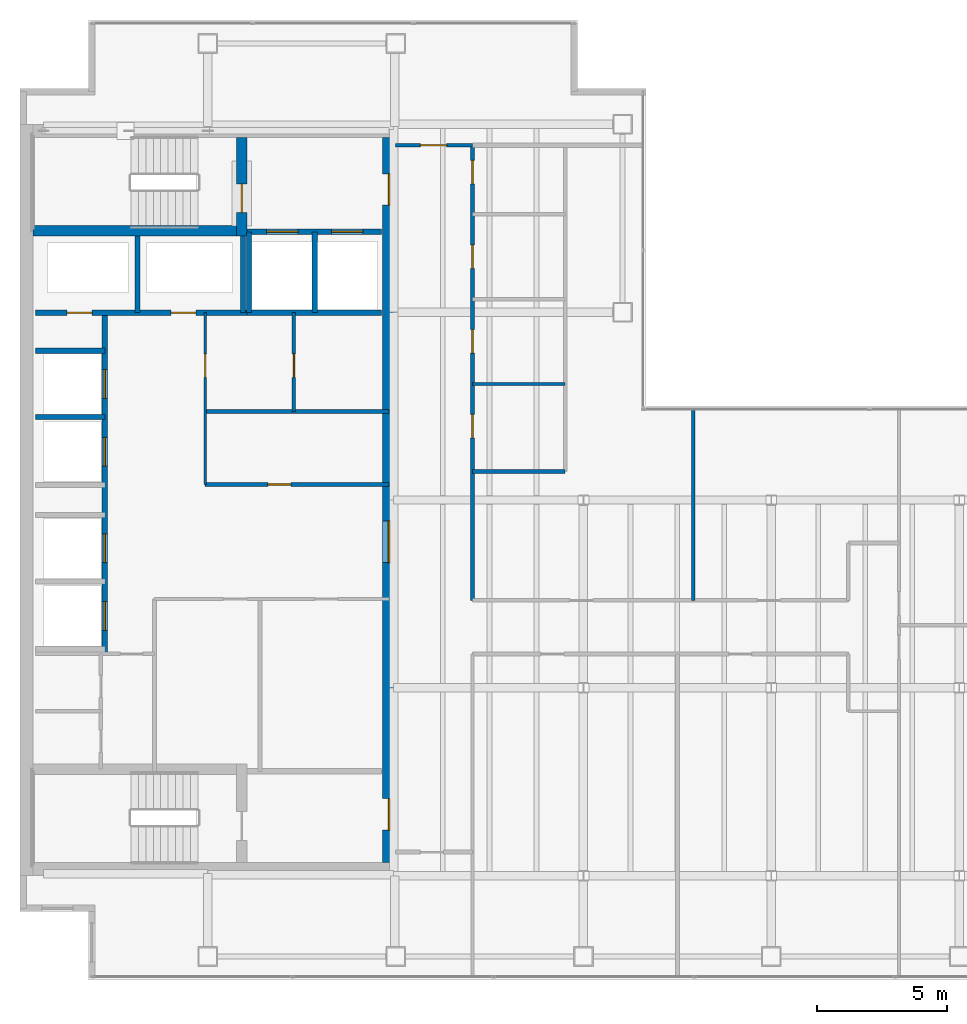
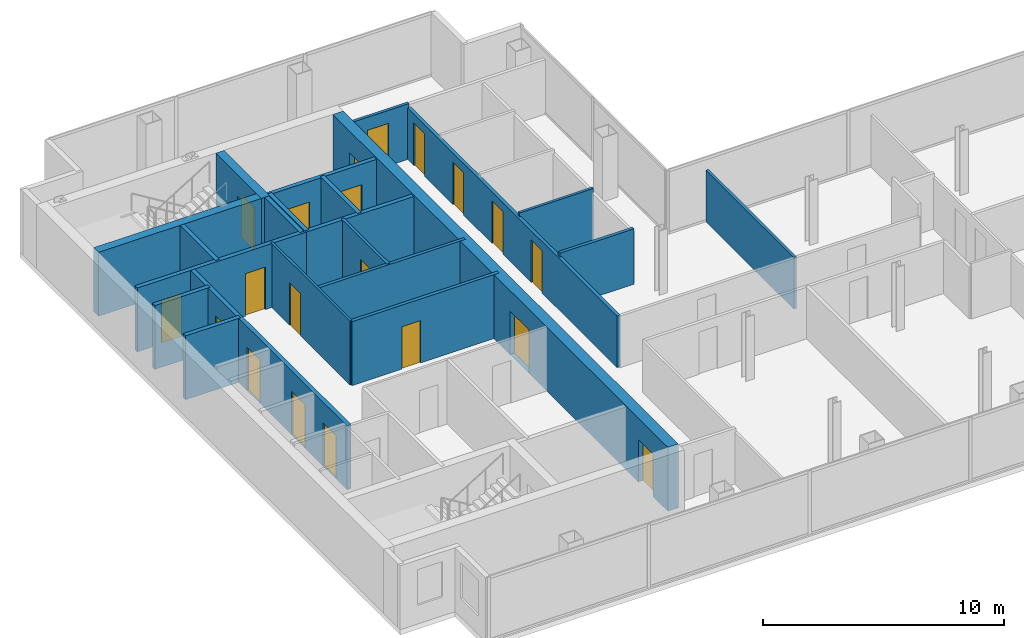
# One storey, part 21 of 23: 22 walls, 20 doors, 20 openings.
"""IFC4 building model written with IfcOpenShell, lengths in metres."""

from ifc_helpers import new_model, si_unit, direction, frame, frame_2d, origin, place, context, subcontext, project, spatial, rectangle, extrude, material, layer, layer_set, type_object, element, fill, save


model = new_model("IFC4")

# Units and contexts
model_context = context("Model", 3, precision=1e-05, world=origin(), true_north=direction((0.0, 1.0)))
body_context = subcontext(model_context, "Body", "Model", "MODEL_VIEW")
ifc_project = project(units=[si_unit("LENGTHUNIT", "METRE"), si_unit("AREAUNIT", "SQUARE_METRE"), si_unit("VOLUMEUNIT", "CUBIC_METRE"), si_unit("PLANEANGLEUNIT", "RADIAN"), si_unit("MASSUNIT", "GRAM", prefix="KILO")], contexts=[model_context])

# Site, building, storey
site_placement = place(None, origin())
site = spatial("IfcSite", under=ifc_project, at=site_placement, CompositionType="ELEMENT")
building_placement = place(site_placement, origin())
building = spatial("IfcBuilding", under=site, at=building_placement, Name="Cobrela Telecom Tower", CompositionType="ELEMENT")
storey_placement = place(building_placement, frame((0.0, 0.0, 211.75)))
storey = spatial("IfcBuildingStorey", under=building, at=storey_placement, Name="L54", CompositionType="ELEMENT", Elevation=211.75)

# Wall, openings, doors
ifc_material_1 = material(Name="Concrete C40/50", Category="concrete")
ifc_layer_1 = layer(ifc_material_1, 0.5)
ifc_layer_set_1 = layer_set([ifc_layer_1], Name="Concrete C40/50")
wall_type_1 = type_object("IfcWallType", Name="WALL-CORE-C40-500", PredefinedType="SHEAR", material=ifc_layer_set_1)
wall_1_placement = place(storey_placement, frame((14.14990234375, 35.5, 0.0), z_axis=(0.0, 0.0, 1.0), x_axis=(0.0, -1.0, 0.0)))
wall_1 = element("IfcWall", 1, at=wall_1_placement, inside=storey, type_object=wall_type_1, Name="L54 East Core Shear Wall", PredefinedType="SHEAR", context=body_context, shape_type="SweptSolid", body=[
    extrude(rectangle(XDim=27.800048828125, YDim=0.5, at=frame_2d((13.89990234375, 0.0))), origin(), (0.0, 0.0, 1.0), 3.239990234375),
])
opening_1_placement = place(wall_1_placement, frame((1.39990234375, 0.0, 0.0)))
opening_1 = element("IfcOpeningElement", 2, at=opening_1_placement, cuts=wall_1, Name="Opening DR-19", PredefinedType="OPENING", context=body_context, shape_type="SweptSolid", body=[
    extrude(rectangle(XDim=1.199951171875, YDim=2.14990234375, at=frame_2d((0.60009765625, 1.074951171875))), frame((0.0, 0.261962890625, 0.0), z_axis=(0.0, -1.0, 0.0), x_axis=(1.0, 0.0, 0.0)), (0.0, 0.0, 1.0), 0.52392578125),
])
opening_2_placement = place(wall_1_placement, frame((25.35009765625, 0.0, 0.0)))
opening_2 = element("IfcOpeningElement", 3, at=opening_2_placement, cuts=wall_1, Name="Opening DR-19", PredefinedType="OPENING", context=body_context, shape_type="SweptSolid", body=[
    extrude(rectangle(XDim=1.199951171875, YDim=2.14990234375, at=frame_2d((0.60009765625, 1.074951171875))), frame((0.0, 0.261962890625, 0.0), z_axis=(0.0, -1.0, 0.0), x_axis=(1.0, 0.0, 0.0)), (0.0, 0.0, 1.0), 0.52392578125),
])
opening_3_placement = place(wall_1_placement, frame((14.699951171875, 0.0, 0.0)))
opening_3 = element("IfcOpeningElement", 4, at=opening_3_placement, cuts=wall_1, Name="Opening DR-51", PredefinedType="OPENING", context=body_context, shape_type="SweptSolid", body=[
    extrude(rectangle(XDim=1.60009765625, YDim=2.199951171875, at=frame_2d((0.800048828125, 1.10009765625))), frame((0.0, 0.261962890625, 0.0), z_axis=(0.0, -1.0, 0.0), x_axis=(1.0, 0.0, 0.0)), (0.0, 0.0, 1.0), 0.52392578125),
])
ifc_material_2 = material(Name="Steel ASTM A36", Category="steel")
door_type_1 = type_object("IfcDoorType", Name="DOOR-FD60-1200", OperationType="SINGLE_SWING_LEFT", PredefinedType="DOOR", material=ifc_material_2)
door_1_placement = place(opening_1_placement, origin())
door_1 = element("IfcDoor", 5, at=door_1_placement, inside=storey, type_object=door_type_1, Name="L54 Door DR-19", OperationType="SINGLE_SWING_LEFT", OverallHeight=2.14990234375, OverallWidth=1.199951171875, PredefinedType="DOOR", context=body_context, shape_type="SweptSolid", body=[
    extrude(rectangle(XDim=1.199951171875, YDim=2.14990234375, at=frame_2d((0.60009765625, 1.074951171875))), frame((0.0, 0.02490234375, 0.0), z_axis=(0.0, -1.0, 0.0), x_axis=(1.0, 0.0, 0.0)), (0.0, 0.0, 1.0), 0.050048828125),
])
fill(opening_1, door_1)
door_2_placement = place(opening_2_placement, origin())
door_2 = element("IfcDoor", 6, at=door_2_placement, inside=storey, type_object=door_type_1, Name="L54 Door DR-19", OperationType="SINGLE_SWING_RIGHT", OverallHeight=2.14990234375, OverallWidth=1.199951171875, PredefinedType="DOOR", context=body_context, shape_type="SweptSolid", body=[
    extrude(rectangle(XDim=1.199951171875, YDim=2.14990234375, at=frame_2d((0.60009765625, 1.074951171875))), frame((0.0, 0.02490234375, 0.0), z_axis=(0.0, -1.0, 0.0), x_axis=(1.0, 0.0, 0.0)), (0.0, 0.0, 1.0), 0.050048828125),
])
fill(opening_2, door_2)
door_type_2 = type_object("IfcDoorType", Name="DOOR-FD60-1600", OperationType="SINGLE_SWING_LEFT", PredefinedType="DOOR", material=ifc_material_2)
door_3_placement = place(opening_3_placement, origin())
door_3 = element("IfcDoor", 7, at=door_3_placement, inside=storey, type_object=door_type_2, Name="L54 Door DR-51", OperationType="DOUBLE_DOOR_SINGLE_SWING", OverallHeight=2.199951171875, OverallWidth=1.60009765625, PredefinedType="DOOR", context=body_context, shape_type="SweptSolid", body=[
    extrude(rectangle(XDim=1.60009765625, YDim=2.199951171875, at=frame_2d((0.800048828125, 1.10009765625))), frame((0.0, 0.02490234375, 0.0), z_axis=(0.0, -1.0, 0.0), x_axis=(1.0, 0.0, 0.0)), (0.0, 0.0, 1.0), 0.050048828125),
])
fill(opening_3, door_3)

# Wall, opening, door
ifc_material_3 = material(Name="Fire-Rated Gypsum Plasterboard")
ifc_layer_2 = layer(ifc_material_3, 0.110107421875)
ifc_layer_set_2 = layer_set([ifc_layer_2], Name="Fire-Rated Gypsum Plasterboard")
wall_type_2 = type_object("IfcWallType", Name="WALL-PART-110", PredefinedType="PARTITIONING", material=ifc_layer_set_2)
wall_2_placement = place(storey_placement, frame((7.10009765625, 22.199951171875, 0.0), z_axis=(0.0, 0.0, 1.0), x_axis=(0.0, 1.0, 0.0)))
wall_2 = element("IfcWall", 8, at=wall_2_placement, inside=storey, type_object=wall_type_2, Name="L54 Interior Partition CW-RECL-W", PredefinedType="PARTITIONING", context=body_context, shape_type="SweptSolid", body=[
    extrude(rectangle(XDim=6.580078125, YDim=0.110107421875, at=frame_2d((3.2900390625, 0.0))), origin(), (0.0, 0.0, 1.0), 3.239990234375),
])
opening_4_placement = place(wall_2_placement, frame((4.10009765625, 0.0, 0.0)))
opening_4 = element("IfcOpeningElement", 9, at=opening_4_placement, cuts=wall_2, Name="Opening DR-41", PredefinedType="OPENING", context=body_context, shape_type="SweptSolid", body=[
    extrude(rectangle(XDim=0.89990234375, YDim=2.14990234375, at=frame_2d((0.449951171875, 1.074951171875))), frame((0.0, 0.06689453125, 0.0), z_axis=(0.0, -1.0, 0.0), x_axis=(1.0, 0.0, 0.0)), (0.0, 0.0, 1.0), 0.134033203125),
])
ifc_material_4 = material(Name="Solid Engineered Oak Timber", Category="wood")
door_type_3 = type_object("IfcDoorType", Name="DOOR-INT-900", OperationType="SINGLE_SWING_LEFT", PredefinedType="DOOR", material=ifc_material_4)
door_4_placement = place(opening_4_placement, origin())
door_4 = element("IfcDoor", 10, at=door_4_placement, inside=storey, type_object=door_type_3, Name="L54 Door DR-41", OperationType="SINGLE_SWING_RIGHT", OverallHeight=2.14990234375, OverallWidth=0.89990234375, PredefinedType="DOOR", context=body_context, shape_type="SweptSolid", body=[
    extrude(rectangle(XDim=0.89990234375, YDim=2.14990234375, at=frame_2d((0.449951171875, 1.074951171875))), frame((0.0, 0.02490234375, 0.0), z_axis=(0.0, -1.0, 0.0), x_axis=(1.0, 0.0, 0.0)), (0.0, 0.0, 1.0), 0.050048828125),
])
fill(opening_4, door_4)

# Wall
ifc_layer_3 = layer(ifc_material_3, 0.125)
ifc_layer_set_3 = layer_set([ifc_layer_3], Name="Fire-Rated Gypsum Plasterboard")
wall_type_3 = type_object("IfcWallType", Name="WALL-PART-125", PredefinedType="PARTITIONING", material=ifc_layer_set_3)
wall_3_placement = place(storey_placement, frame((17.35009765625, 26.050048828125, 0.0), z_axis=(0.0, 0.0, 1.0), x_axis=(1.0, 0.0, 0.0)))
element("IfcWall", 11, at=wall_3_placement, inside=storey, type_object=wall_type_3, Name="L54 Interior Partition W-WCD-1", PredefinedType="PARTITIONING", context=body_context, shape_type="SweptSolid", body=[
    extrude(rectangle(XDim=3.5498046875, YDim=0.125, at=frame_2d((1.77490234375, 0.0))), origin(), (0.0, 0.0, 1.0), 2.80810546875),
])

# Wall, opening, door
ifc_layer_4 = layer(ifc_material_3, 0.135009765625)
ifc_layer_set_4 = layer_set([ifc_layer_4], Name="Fire-Rated Gypsum Plasterboard")
wall_type_4 = type_object("IfcWallType", Name="WALL-PART-135", PredefinedType="PARTITIONING", material=ifc_layer_set_4)
wall_4_placement = place(storey_placement, frame((10.5, 25.0, 0.0), z_axis=(0.0, 0.0, 1.0), x_axis=(0.0, 1.0, 0.0)))
wall_4 = element("IfcWall", 12, at=wall_4_placement, inside=storey, type_object=wall_type_4, Name="L54 Interior Partition CW-RECL-VN", PredefinedType="PARTITIONING", context=body_context, shape_type="SweptSolid", body=[
    extrude(rectangle(XDim=3.780029296875, YDim=0.135009765625, at=frame_2d((1.89013671875, 0.0))), origin(), (0.0, 0.0, 1.0), 3.239990234375),
])
opening_5_placement = place(wall_4_placement, frame((1.300048828125, 0.0, 0.0)))
opening_5 = element("IfcOpeningElement", 13, at=opening_5_placement, cuts=wall_4, Name="Opening DR-41", PredefinedType="OPENING", context=body_context, shape_type="SweptSolid", body=[
    extrude(rectangle(XDim=0.89990234375, YDim=2.14990234375, at=frame_2d((0.449951171875, 1.074951171875))), frame((0.0, 0.07958984375, 0.0), z_axis=(0.0, -1.0, 0.0), x_axis=(1.0, 0.0, 0.0)), (0.0, 0.0, 1.0), 0.158935546875),
])
door_5_placement = place(opening_5_placement, origin())
door_5 = element("IfcDoor", 14, at=door_5_placement, inside=storey, type_object=door_type_3, Name="L54 Door DR-41", OperationType="SINGLE_SWING_LEFT", OverallHeight=2.14990234375, OverallWidth=0.89990234375, PredefinedType="DOOR", context=body_context, shape_type="SweptSolid", body=[
    extrude(rectangle(XDim=0.89990234375, YDim=2.14990234375, at=frame_2d((0.449951171875, 1.074951171875))), frame((0.0, 0.02490234375, 0.0), z_axis=(0.0, -1.0, 0.0), x_axis=(1.0, 0.0, 0.0)), (0.0, 0.0, 1.0), 0.050048828125),
])
fill(opening_5, door_5)

wall_5_placement = place(storey_placement, frame((14.39990234375, 35.199951171875, 0.0), z_axis=(0.0, 0.0, 1.0), x_axis=(1.0, 0.0, 0.0)))
wall_5 = element("IfcWall", 15, at=wall_5_placement, inside=storey, type_object=wall_type_4, Name="L54 Interior Partition W-C-N0", PredefinedType="PARTITIONING", context=body_context, shape_type="SweptSolid", body=[
    extrude(rectangle(XDim=2.9501953125, YDim=0.135009765625, at=frame_2d((1.47509765625, 0.0))), origin(), (0.0, 0.0, 1.0), 2.80810546875),
])
opening_6_placement = place(wall_5_placement, frame((0.949951171875, 0.0, 0.0)))
opening_6 = element("IfcOpeningElement", 16, at=opening_6_placement, cuts=wall_5, Name="Opening DR-31", PredefinedType="OPENING", context=body_context, shape_type="SweptSolid", body=[
    extrude(rectangle(XDim=1.0, YDim=2.14990234375, at=frame_2d((0.5, 1.074951171875))), frame((0.0, 0.07958984375, 0.0), z_axis=(0.0, -1.0, 0.0), x_axis=(1.0, 0.0, 0.0)), (0.0, 0.0, 1.0), 0.158935546875),
])
door_type_4 = type_object("IfcDoorType", Name="DOOR-INT-1000", OperationType="SINGLE_SWING_LEFT", PredefinedType="DOOR", material=ifc_material_4)
door_6_placement = place(opening_6_placement, origin())
door_6 = element("IfcDoor", 17, at=door_6_placement, inside=storey, type_object=door_type_4, Name="L54 Door DR-31", OperationType="SINGLE_SWING_LEFT", OverallHeight=2.14990234375, OverallWidth=1.0, PredefinedType="DOOR", context=body_context, shape_type="SweptSolid", body=[
    extrude(rectangle(XDim=1.0, YDim=2.14990234375, at=frame_2d((0.5, 1.074951171875))), frame((0.0, 0.02490234375, 0.0), z_axis=(0.0, -1.0, 0.0), x_axis=(1.0, 0.0, 0.0)), (0.0, 0.0, 1.0), 0.050048828125),
])
fill(opening_6, door_6)

# Walls
wall_6_placement = place(storey_placement, frame((25.800048828125, 17.75, 0.0), z_axis=(0.0, 0.0, 1.0), x_axis=(0.0, 1.0, 0.0)))
element("IfcWall", 18, at=wall_6_placement, inside=storey, type_object=wall_type_4, Name="L54 Interior Partition W-NV-1", PredefinedType="PARTITIONING", context=body_context, shape_type="SweptSolid", body=[
    extrude(rectangle(XDim=7.300048828125, YDim=0.135009765625, at=frame_2d((3.64990234375, 0.0))), origin(), (0.0, 0.0, 1.0), 2.613037109375),
])
ifc_layer_5 = layer(ifc_material_3, 0.14990234375)
ifc_layer_set_5 = layer_set([ifc_layer_5], Name="Fire-Rated Gypsum Plasterboard")
wall_type_5 = type_object("IfcWallType", Name="WALL-PART-150", PredefinedType="PARTITIONING", material=ifc_layer_set_5)
wall_7_placement = place(storey_placement, frame((7.10009765625, 25.0, 0.0), z_axis=(0.0, 0.0, 1.0), x_axis=(1.0, 0.0, 0.0)))
element("IfcWall", 19, at=wall_7_placement, inside=storey, type_object=wall_type_5, Name="L54 Interior Partition CW-RECL-H", PredefinedType="PARTITIONING", context=body_context, shape_type="SweptSolid", body=[
    extrude(rectangle(XDim=7.0498046875, YDim=0.14990234375, at=frame_2d((3.52490234375, 0.0))), origin(), (0.0, 0.0, 1.0), 3.239990234375),
])
wall_8_placement = place(storey_placement, frame((17.35009765625, 22.699951171875, 0.0), z_axis=(0.0, 0.0, 1.0), x_axis=(1.0, 0.0, 0.0)))
element("IfcWall", 20, at=wall_8_placement, inside=storey, type_object=wall_type_5, Name="L54 Interior Partition W-WC-S", PredefinedType="PARTITIONING", context=body_context, shape_type="SweptSolid", body=[
    extrude(rectangle(XDim=3.5498046875, YDim=0.14990234375, at=frame_2d((1.77490234375, 0.0))), origin(), (0.0, 0.0, 1.0), 2.80810546875),
])

# Wall, opening, door
ifc_layer_6 = layer(ifc_material_3, 0.159912109375)
ifc_layer_set_6 = layer_set([ifc_layer_6], Name="Fire-Rated Gypsum Plasterboard")
wall_type_6 = type_object("IfcWallType", Name="WALL-PART-160", PredefinedType="PARTITIONING", material=ifc_layer_set_6)
wall_9_placement = place(storey_placement, frame((7.10009765625, 22.199951171875, 0.0), z_axis=(0.0, 0.0, 1.0), x_axis=(1.0, 0.0, 0.0)))
wall_9 = element("IfcWall", 21, at=wall_9_placement, inside=storey, type_object=wall_type_6, Name="L54 Interior Partition CW-RECL-S", PredefinedType="PARTITIONING", context=body_context, shape_type="SweptSolid", body=[
    extrude(rectangle(XDim=7.0498046875, YDim=0.159912109375, at=frame_2d((3.52490234375, 0.0))), origin(), (0.0, 0.0, 1.0), 3.239990234375),
])
opening_7_placement = place(wall_9_placement, frame((2.39990234375, 0.0, 0.0)))
opening_7 = element("IfcOpeningElement", 22, at=opening_7_placement, cuts=wall_9, Name="Opening DR-39", PredefinedType="OPENING", context=body_context, shape_type="SweptSolid", body=[
    extrude(rectangle(XDim=0.8798828125, YDim=2.14990234375, at=frame_2d((0.43994140625, 1.074951171875))), frame((0.0, 0.091796875, 0.0), z_axis=(0.0, -1.0, 0.0), x_axis=(1.0, 0.0, 0.0)), (0.0, 0.0, 1.0), 0.183837890625),
])
door_type_5 = type_object("IfcDoorType", Name="DOOR-INT-880", OperationType="SINGLE_SWING_LEFT", PredefinedType="DOOR", material=ifc_material_4)
door_7_placement = place(opening_7_placement, origin())
door_7 = element("IfcDoor", 23, at=door_7_placement, inside=storey, type_object=door_type_5, Name="L54 Door DR-39", OperationType="SINGLE_SWING_LEFT", OverallHeight=2.14990234375, OverallWidth=0.8798828125, PredefinedType="DOOR", context=body_context, shape_type="SweptSolid", body=[
    extrude(rectangle(XDim=0.8798828125, YDim=2.14990234375, at=frame_2d((0.43994140625, 1.074951171875))), frame((0.0, 0.02490234375, 0.0), z_axis=(0.0, -1.0, 0.0), x_axis=(1.0, 0.0, 0.0)), (0.0, 0.0, 1.0), 0.050048828125),
])
fill(opening_7, door_7)

# Wall, openings, doors
wall_10_placement = place(storey_placement, frame((17.35009765625, 17.75, 0.0), z_axis=(0.0, 0.0, 1.0), x_axis=(0.0, 1.0, 0.0)))
wall_10 = element("IfcWall", 24, at=wall_10_placement, inside=storey, type_object=wall_type_6, Name="L54 Interior Partition W-C-E2", PredefinedType="PARTITIONING", context=body_context, shape_type="SweptSolid", body=[
    extrude(rectangle(XDim=17.449951171875, YDim=0.159912109375, at=frame_2d((8.72509765625, 0.0))), origin(), (0.0, 0.0, 1.0), 2.613037109375),
])
opening_8_placement = place(wall_10_placement, frame((6.22998046875, 0.0, 0.0)))
opening_8 = element("IfcOpeningElement", 25, at=opening_8_placement, cuts=wall_10, Name="Opening DR-41", PredefinedType="OPENING", context=body_context, shape_type="SweptSolid", body=[
    extrude(rectangle(XDim=0.89990234375, YDim=2.14990234375, at=frame_2d((0.449951171875, 1.074951171875))), frame((0.0, 0.091796875, 0.0), z_axis=(0.0, -1.0, 0.0), x_axis=(1.0, 0.0, 0.0)), (0.0, 0.0, 1.0), 0.183837890625),
])
opening_9_placement = place(wall_10_placement, frame((9.47998046875, 0.0, 0.0)))
opening_9 = element("IfcOpeningElement", 26, at=opening_9_placement, cuts=wall_10, Name="Opening DR-41", PredefinedType="OPENING", context=body_context, shape_type="SweptSolid", body=[
    extrude(rectangle(XDim=0.89990234375, YDim=2.14990234375, at=frame_2d((0.449951171875, 1.074951171875))), frame((0.0, 0.091796875, 0.0), z_axis=(0.0, -1.0, 0.0), x_axis=(1.0, 0.0, 0.0)), (0.0, 0.0, 1.0), 0.183837890625),
])
opening_10_placement = place(wall_10_placement, frame((12.72998046875, 0.0, 0.0)))
opening_10 = element("IfcOpeningElement", 27, at=opening_10_placement, cuts=wall_10, Name="Opening DR-41", PredefinedType="OPENING", context=body_context, shape_type="SweptSolid", body=[
    extrude(rectangle(XDim=0.89990234375, YDim=2.14990234375, at=frame_2d((0.449951171875, 1.074951171875))), frame((0.0, 0.091796875, 0.0), z_axis=(0.0, -1.0, 0.0), x_axis=(1.0, 0.0, 0.0)), (0.0, 0.0, 1.0), 0.183837890625),
])
opening_11_placement = place(wall_10_placement, frame((15.969970703125, 0.0, 0.0)))
opening_11 = element("IfcOpeningElement", 28, at=opening_11_placement, cuts=wall_10, Name="Opening DR-41", PredefinedType="OPENING", context=body_context, shape_type="SweptSolid", body=[
    extrude(rectangle(XDim=0.89990234375, YDim=2.14990234375, at=frame_2d((0.449951171875, 1.074951171875))), frame((0.0, 0.091796875, 0.0), z_axis=(0.0, -1.0, 0.0), x_axis=(1.0, 0.0, 0.0)), (0.0, 0.0, 1.0), 0.183837890625),
])
door_8_placement = place(opening_8_placement, origin())
door_8 = element("IfcDoor", 29, at=door_8_placement, inside=storey, type_object=door_type_3, Name="L54 Door DR-41", OperationType="SINGLE_SWING_LEFT", OverallHeight=2.14990234375, OverallWidth=0.89990234375, PredefinedType="DOOR", context=body_context, shape_type="SweptSolid", body=[
    extrude(rectangle(XDim=0.89990234375, YDim=2.14990234375, at=frame_2d((0.449951171875, 1.074951171875))), frame((0.0, 0.02490234375, 0.0), z_axis=(0.0, -1.0, 0.0), x_axis=(1.0, 0.0, 0.0)), (0.0, 0.0, 1.0), 0.050048828125),
])
fill(opening_8, door_8)
door_9_placement = place(opening_9_placement, origin())
door_9 = element("IfcDoor", 30, at=door_9_placement, inside=storey, type_object=door_type_3, Name="L54 Door DR-41", OperationType="SINGLE_SWING_RIGHT", OverallHeight=2.14990234375, OverallWidth=0.89990234375, PredefinedType="DOOR", context=body_context, shape_type="SweptSolid", body=[
    extrude(rectangle(XDim=0.89990234375, YDim=2.14990234375, at=frame_2d((0.449951171875, 1.074951171875))), frame((0.0, 0.02490234375, 0.0), z_axis=(0.0, -1.0, 0.0), x_axis=(1.0, 0.0, 0.0)), (0.0, 0.0, 1.0), 0.050048828125),
])
fill(opening_9, door_9)
door_10_placement = place(opening_10_placement, origin())
door_10 = element("IfcDoor", 31, at=door_10_placement, inside=storey, type_object=door_type_3, Name="L54 Door DR-41", OperationType="SINGLE_SWING_LEFT", OverallHeight=2.14990234375, OverallWidth=0.89990234375, PredefinedType="DOOR", context=body_context, shape_type="SweptSolid", body=[
    extrude(rectangle(XDim=0.89990234375, YDim=2.14990234375, at=frame_2d((0.449951171875, 1.074951171875))), frame((0.0, 0.02490234375, 0.0), z_axis=(0.0, -1.0, 0.0), x_axis=(1.0, 0.0, 0.0)), (0.0, 0.0, 1.0), 0.050048828125),
])
fill(opening_10, door_10)
door_11_placement = place(opening_11_placement, origin())
door_11 = element("IfcDoor", 32, at=door_11_placement, inside=storey, type_object=door_type_3, Name="L54 Door DR-41", OperationType="SINGLE_SWING_RIGHT", OverallHeight=2.14990234375, OverallWidth=0.89990234375, PredefinedType="DOOR", context=body_context, shape_type="SweptSolid", body=[
    extrude(rectangle(XDim=0.89990234375, YDim=2.14990234375, at=frame_2d((0.449951171875, 1.074951171875))), frame((0.0, 0.02490234375, 0.0), z_axis=(0.0, -1.0, 0.0), x_axis=(1.0, 0.0, 0.0)), (0.0, 0.0, 1.0), 0.050048828125),
])
fill(opening_11, door_11)

ifc_layer_7 = layer(ifc_material_3, 0.199951171875)
ifc_layer_set_7 = layer_set([ifc_layer_7], Name="Fire-Rated Gypsum Plasterboard")
wall_type_7 = type_object("IfcWallType", Name="WALL-SHAFT-200", PredefinedType="PARTITIONING", material=ifc_layer_set_7)
wall_11_placement = place(storey_placement, frame((8.699951171875, 31.8798828125, 0.0), z_axis=(0.0, 0.0, 1.0), x_axis=(1.0, 0.0, 0.0)))
wall_11 = element("IfcWall", 33, at=wall_11_placement, inside=storey, type_object=wall_type_7, Name="L54 Shaft Enclosure CW-FFL-S", PredefinedType="PARTITIONING", context=body_context, shape_type="SweptSolid", body=[
    extrude(rectangle(XDim=5.150146484375, YDim=0.199951171875, at=frame_2d((2.5751953125, 0.0))), origin(), (0.0, 0.0, 1.0), 3.239990234375),
])
opening_12_placement = place(wall_11_placement, frame((0.75, 0.0, 0.0)))
opening_12 = element("IfcOpeningElement", 34, at=opening_12_placement, cuts=wall_11, Name="Opening LD-2", PredefinedType="OPENING", context=body_context, shape_type="SweptSolid", body=[
    extrude(rectangle(XDim=1.199951171875, YDim=2.199951171875, at=frame_2d((0.60009765625, 1.10009765625))), frame((0.0, 0.11181640625, 0.0), z_axis=(0.0, -1.0, 0.0), x_axis=(1.0, 0.0, 0.0)), (0.0, 0.0, 1.0), 0.223876953125),
])
opening_13_placement = place(wall_11_placement, frame((3.25, 0.0, 0.0)))
opening_13 = element("IfcOpeningElement", 35, at=opening_13_placement, cuts=wall_11, Name="Opening LD-2", PredefinedType="OPENING", context=body_context, shape_type="SweptSolid", body=[
    extrude(rectangle(XDim=1.199951171875, YDim=2.199951171875, at=frame_2d((0.60009765625, 1.10009765625))), frame((0.0, 0.11181640625, 0.0), z_axis=(0.0, -1.0, 0.0), x_axis=(1.0, 0.0, 0.0)), (0.0, 0.0, 1.0), 0.223876953125),
])
door_type_6 = type_object("IfcDoorType", Name="DOOR-LD-FFL", OperationType="SINGLE_SWING_LEFT", PredefinedType="DOOR", material=ifc_material_2)
door_12_placement = place(opening_12_placement, origin())
door_12 = element("IfcDoor", 36, at=door_12_placement, inside=storey, type_object=door_type_6, Name="L54 Lift Landing Door LD-2", OperationType="DOUBLE_DOOR_SLIDING", OverallHeight=2.199951171875, OverallWidth=1.199951171875, PredefinedType="DOOR", context=body_context, shape_type="SweptSolid", body=[
    extrude(rectangle(XDim=1.199951171875, YDim=2.199951171875, at=frame_2d((0.60009765625, 1.10009765625))), frame((0.0, 0.02490234375, 0.0), z_axis=(0.0, -1.0, 0.0), x_axis=(1.0, 0.0, 0.0)), (0.0, 0.0, 1.0), 0.050048828125),
])
fill(opening_12, door_12)
door_13_placement = place(opening_13_placement, origin())
door_13 = element("IfcDoor", 37, at=door_13_placement, inside=storey, type_object=door_type_6, Name="L54 Lift Landing Door LD-2", OperationType="DOUBLE_DOOR_SLIDING", OverallHeight=2.199951171875, OverallWidth=1.199951171875, PredefinedType="DOOR", context=body_context, shape_type="SweptSolid", body=[
    extrude(rectangle(XDim=1.199951171875, YDim=2.199951171875, at=frame_2d((0.60009765625, 1.10009765625))), frame((0.0, 0.02490234375, 0.0), z_axis=(0.0, -1.0, 0.0), x_axis=(1.0, 0.0, 0.0)), (0.0, 0.0, 1.0), 0.050048828125),
])
fill(opening_13, door_13)

# Walls
wall_12_placement = place(storey_placement, frame((8.699951171875, 28.780029296875, 0.0), z_axis=(0.0, 0.0, 1.0), x_axis=(1.0, 0.0, 0.0)))
element("IfcWall", 38, at=wall_12_placement, inside=storey, type_object=wall_type_7, Name="L54 Shaft Enclosure CW-FFL-S2", PredefinedType="PARTITIONING", context=body_context, shape_type="SweptSolid", body=[
    extrude(rectangle(XDim=5.150146484375, YDim=0.199951171875, at=frame_2d((2.5751953125, 0.0))), origin(), (0.0, 0.0, 1.0), 3.239990234375),
])
for number, where, z_axis, x_axis, name in (
    (39, (8.780029296875, 28.780029296875, 0.0), (0.0, 0.0, 1.0), (0.0, 1.0, 0.0), "L54 Shaft Enclosure CW-FFL-W"),
    (40, (11.300048828125, 28.780029296875, 0.0), (0.0, 0.0, 1.0), (0.0, 1.0, 0.0), "L54 Shaft Enclosure CW-FFL-M"),
):
    element("IfcWall", number, at=place(storey_placement, frame(where, z_axis=z_axis, x_axis=x_axis)), inside=storey, type_object=wall_type_7, Name=name, PredefinedType="PARTITIONING", context=body_context, shape_type="SweptSolid", body=[
        extrude(rectangle(XDim=3.099853515625, YDim=0.199951171875, at=frame_2d((1.5498046875, 0.0))), origin(), (0.0, 0.0, 1.0), 3.239990234375),
    ])

# Wall, openings, doors
wall_13_placement = place(storey_placement, frame((0.60009765625, 28.780029296875, 0.0), z_axis=(0.0, 0.0, 1.0), x_axis=(1.0, 0.0, 0.0)))
wall_13 = element("IfcWall", 41, at=wall_13_placement, inside=storey, type_object=wall_type_7, Name="L54 Shaft Enclosure CW-RIS-S", PredefinedType="PARTITIONING", context=body_context, shape_type="SweptSolid", body=[
    extrude(rectangle(XDim=8.179931640625, YDim=0.199951171875, at=frame_2d((4.08984375, 0.0))), origin(), (0.0, 0.0, 1.0), 3.239990234375),
])
opening_14_placement = place(wall_13_placement, frame((1.2099609375, 0.0, 0.0)))
opening_14 = element("IfcOpeningElement", 42, at=opening_14_placement, cuts=wall_13, Name="Opening DR-65", PredefinedType="OPENING", context=body_context, shape_type="SweptSolid", body=[
    extrude(rectangle(XDim=0.949951171875, YDim=2.14990234375, at=frame_2d((0.47509765625, 1.074951171875))), frame((0.0, 0.11181640625, 0.0), z_axis=(0.0, -1.0, 0.0), x_axis=(1.0, 0.0, 0.0)), (0.0, 0.0, 1.0), 0.223876953125),
])
opening_15_placement = place(wall_13_placement, frame((5.18994140625, 0.0, 0.0)))
opening_15 = element("IfcOpeningElement", 43, at=opening_15_placement, cuts=wall_13, Name="Opening DR-65", PredefinedType="OPENING", context=body_context, shape_type="SweptSolid", body=[
    extrude(rectangle(XDim=0.949951171875, YDim=2.14990234375, at=frame_2d((0.47509765625, 1.074951171875))), frame((0.0, 0.11181640625, 0.0), z_axis=(0.0, -1.0, 0.0), x_axis=(1.0, 0.0, 0.0)), (0.0, 0.0, 1.0), 0.223876953125),
])
door_type_7 = type_object("IfcDoorType", Name="DOOR-FD60-950", OperationType="SINGLE_SWING_LEFT", PredefinedType="DOOR", material=ifc_material_2)
door_14_placement = place(opening_14_placement, origin())
door_14 = element("IfcDoor", 44, at=door_14_placement, inside=storey, type_object=door_type_7, Name="L54 Door DR-65", OperationType="SINGLE_SWING_LEFT", OverallHeight=2.14990234375, OverallWidth=0.949951171875, PredefinedType="DOOR", context=body_context, shape_type="SweptSolid", body=[
    extrude(rectangle(XDim=0.949951171875, YDim=2.14990234375, at=frame_2d((0.47509765625, 1.074951171875))), frame((0.0, 0.02490234375, 0.0), z_axis=(0.0, -1.0, 0.0), x_axis=(1.0, 0.0, 0.0)), (0.0, 0.0, 1.0), 0.050048828125),
])
fill(opening_14, door_14)
door_15_placement = place(opening_15_placement, origin())
door_15 = element("IfcDoor", 45, at=door_15_placement, inside=storey, type_object=door_type_7, Name="L54 Door DR-65", OperationType="SINGLE_SWING_RIGHT", OverallHeight=2.14990234375, OverallWidth=0.949951171875, PredefinedType="DOOR", context=body_context, shape_type="SweptSolid", body=[
    extrude(rectangle(XDim=0.949951171875, YDim=2.14990234375, at=frame_2d((0.47509765625, 1.074951171875))), frame((0.0, 0.02490234375, 0.0), z_axis=(0.0, -1.0, 0.0), x_axis=(1.0, 0.0, 0.0)), (0.0, 0.0, 1.0), 0.050048828125),
])
fill(opening_15, door_15)

# Walls
for number, where, z_axis, x_axis, name in (
    (46, (4.5, 28.780029296875, 0.0), (0.0, 0.0, 1.0), (0.0, 1.0, 0.0), "L54 Shaft Enclosure CW-RIS-M"),
    (47, (8.550048828125, 28.780029296875, 0.0), (0.0, 0.0, 1.0), (0.0, 1.0, 0.0), "L54 Shaft Enclosure CW-RIS-E"),
):
    element("IfcWall", number, at=place(storey_placement, frame(where, z_axis=z_axis, x_axis=x_axis)), inside=storey, type_object=wall_type_7, Name=name, PredefinedType="PARTITIONING", context=body_context, shape_type="SweptSolid", body=[
        extrude(rectangle(XDim=2.93994140625, YDim=0.199951171875, at=frame_2d((1.469970703125, 0.0))), origin(), (0.0, 0.0, 1.0), 3.239990234375),
    ])

# Wall, openings, doors
wall_14_placement = place(storey_placement, frame((3.25, 15.699951171875, 0.0), z_axis=(0.0, 0.0, 1.0), x_axis=(0.0, 1.0, 0.0)))
wall_14 = element("IfcWall", 48, at=wall_14_placement, inside=storey, type_object=wall_type_7, Name="L54 Shaft Enclosure CW-PLH-E", PredefinedType="PARTITIONING", context=body_context, shape_type="SweptSolid", body=[
    extrude(rectangle(XDim=13.080078125, YDim=0.199951171875, at=frame_2d((6.5400390625, 0.0))), origin(), (0.0, 0.0, 1.0), 3.239990234375),
])
opening_16_placement = place(wall_14_placement, frame((0.89990234375, 0.0, 0.0)))
opening_16 = element("IfcOpeningElement", 49, at=opening_16_placement, cuts=wall_14, Name="Opening LD-1", PredefinedType="OPENING", context=body_context, shape_type="SweptSolid", body=[
    extrude(rectangle(XDim=1.10009765625, YDim=2.199951171875, at=frame_2d((0.550048828125, 1.10009765625))), frame((0.0, 0.11181640625, 0.0), z_axis=(0.0, -1.0, 0.0), x_axis=(1.0, 0.0, 0.0)), (0.0, 0.0, 1.0), 0.223876953125),
])
opening_17_placement = place(wall_14_placement, frame((3.5, 0.0, 0.0)))
opening_17 = element("IfcOpeningElement", 50, at=opening_17_placement, cuts=wall_14, Name="Opening LD-1", PredefinedType="OPENING", context=body_context, shape_type="SweptSolid", body=[
    extrude(rectangle(XDim=1.10009765625, YDim=2.199951171875, at=frame_2d((0.550048828125, 1.10009765625))), frame((0.0, 0.11181640625, 0.0), z_axis=(0.0, -1.0, 0.0), x_axis=(1.0, 0.0, 0.0)), (0.0, 0.0, 1.0), 0.223876953125),
])
opening_18_placement = place(wall_14_placement, frame((7.199951171875, 0.0, 0.0)))
opening_18 = element("IfcOpeningElement", 51, at=opening_18_placement, cuts=wall_14, Name="Opening LD-1", PredefinedType="OPENING", context=body_context, shape_type="SweptSolid", body=[
    extrude(rectangle(XDim=1.10009765625, YDim=2.199951171875, at=frame_2d((0.550048828125, 1.10009765625))), frame((0.0, 0.11181640625, 0.0), z_axis=(0.0, -1.0, 0.0), x_axis=(1.0, 0.0, 0.0)), (0.0, 0.0, 1.0), 0.223876953125),
])
opening_19_placement = place(wall_14_placement, frame((9.800048828125, 0.0, 0.0)))
opening_19 = element("IfcOpeningElement", 52, at=opening_19_placement, cuts=wall_14, Name="Opening LD-1", PredefinedType="OPENING", context=body_context, shape_type="SweptSolid", body=[
    extrude(rectangle(XDim=1.10009765625, YDim=2.199951171875, at=frame_2d((0.550048828125, 1.10009765625))), frame((0.0, 0.11181640625, 0.0), z_axis=(0.0, -1.0, 0.0), x_axis=(1.0, 0.0, 0.0)), (0.0, 0.0, 1.0), 0.223876953125),
])
door_type_8 = type_object("IfcDoorType", Name="DOOR-LD-PL", OperationType="SINGLE_SWING_LEFT", PredefinedType="DOOR", material=ifc_material_2)
door_16_placement = place(opening_16_placement, origin())
door_16 = element("IfcDoor", 53, at=door_16_placement, inside=storey, type_object=door_type_8, Name="L54 Lift Landing Door LD-1", OperationType="DOUBLE_DOOR_SLIDING", OverallHeight=2.199951171875, OverallWidth=1.10009765625, PredefinedType="DOOR", context=body_context, shape_type="SweptSolid", body=[
    extrude(rectangle(XDim=1.10009765625, YDim=2.199951171875, at=frame_2d((0.550048828125, 1.10009765625))), frame((0.0, 0.02490234375, 0.0), z_axis=(0.0, -1.0, 0.0), x_axis=(1.0, 0.0, 0.0)), (0.0, 0.0, 1.0), 0.050048828125),
])
fill(opening_16, door_16)
door_17_placement = place(opening_17_placement, origin())
door_17 = element("IfcDoor", 54, at=door_17_placement, inside=storey, type_object=door_type_8, Name="L54 Lift Landing Door LD-1", OperationType="DOUBLE_DOOR_SLIDING", OverallHeight=2.199951171875, OverallWidth=1.10009765625, PredefinedType="DOOR", context=body_context, shape_type="SweptSolid", body=[
    extrude(rectangle(XDim=1.10009765625, YDim=2.199951171875, at=frame_2d((0.550048828125, 1.10009765625))), frame((0.0, 0.02490234375, 0.0), z_axis=(0.0, -1.0, 0.0), x_axis=(1.0, 0.0, 0.0)), (0.0, 0.0, 1.0), 0.050048828125),
])
fill(opening_17, door_17)
door_18_placement = place(opening_18_placement, origin())
door_18 = element("IfcDoor", 55, at=door_18_placement, inside=storey, type_object=door_type_8, Name="L54 Lift Landing Door LD-1", OperationType="DOUBLE_DOOR_SLIDING", OverallHeight=2.199951171875, OverallWidth=1.10009765625, PredefinedType="DOOR", context=body_context, shape_type="SweptSolid", body=[
    extrude(rectangle(XDim=1.10009765625, YDim=2.199951171875, at=frame_2d((0.550048828125, 1.10009765625))), frame((0.0, 0.02490234375, 0.0), z_axis=(0.0, -1.0, 0.0), x_axis=(1.0, 0.0, 0.0)), (0.0, 0.0, 1.0), 0.050048828125),
])
fill(opening_18, door_18)
door_19_placement = place(opening_19_placement, origin())
door_19 = element("IfcDoor", 56, at=door_19_placement, inside=storey, type_object=door_type_8, Name="L54 Lift Landing Door LD-1", OperationType="DOUBLE_DOOR_SLIDING", OverallHeight=2.199951171875, OverallWidth=1.10009765625, PredefinedType="DOOR", context=body_context, shape_type="SweptSolid", body=[
    extrude(rectangle(XDim=1.10009765625, YDim=2.199951171875, at=frame_2d((0.550048828125, 1.10009765625))), frame((0.0, 0.02490234375, 0.0), z_axis=(0.0, -1.0, 0.0), x_axis=(1.0, 0.0, 0.0)), (0.0, 0.0, 1.0), 0.050048828125),
])
fill(opening_19, door_19)

# Walls
for number, where, z_axis, x_axis, name in (
    (57, (0.60009765625, 24.780029296875, 0.0), (0.0, 0.0, 1.0), (1.0, 0.0, 0.0), "L54 Shaft Enclosure CW-PLH-D12"),
    (58, (0.60009765625, 27.320068359375, 0.0), (0.0, 0.0, 1.0), (1.0, 0.0, 0.0), "L54 Shaft Enclosure CW-PLH-TOP"),
):
    element("IfcWall", number, at=place(storey_placement, frame(where, z_axis=z_axis, x_axis=x_axis)), inside=storey, type_object=wall_type_7, Name=name, PredefinedType="PARTITIONING", context=body_context, shape_type="SweptSolid", body=[
        extrude(rectangle(XDim=2.64990234375, YDim=0.199951171875, at=frame_2d((1.324951171875, 0.0))), origin(), (0.0, 0.0, 1.0), 3.239990234375),
    ])
ifc_layer_8 = layer(ifc_material_1, 0.39990234375)
ifc_layer_set_8 = layer_set([ifc_layer_8], Name="Concrete C40/50")
wall_type_8 = type_object("IfcWallType", Name="WALL-SHAFT-C40-400", PredefinedType="SHEAR", material=ifc_layer_set_8)
wall_15_placement = place(storey_placement, frame((0.5, 31.919921875, 0.0), z_axis=(0.0, 0.0, 1.0), x_axis=(1.0, 0.0, 0.0)))
element("IfcWall", 59, at=wall_15_placement, inside=storey, type_object=wall_type_8, Name="L54 North Stair Shear Wall", PredefinedType="SHEAR", context=body_context, shape_type="SweptSolid", body=[
    extrude(rectangle(XDim=7.800048828125, YDim=0.39990234375, at=frame_2d((3.89990234375, 0.0))), origin(), (0.0, 0.0, 1.0), 3.239990234375),
])

# Wall, opening, door
wall_16_placement = place(storey_placement, frame((8.5, 31.719970703125, 0.0), z_axis=(0.0, 0.0, 1.0), x_axis=(0.0, 1.0, 0.0)))
wall_16 = element("IfcWall", 60, at=wall_16_placement, inside=storey, type_object=wall_type_8, Name="L54 North Stair Lobby Shear Wall", PredefinedType="SHEAR", context=body_context, shape_type="SweptSolid", body=[
    extrude(rectangle(XDim=3.780029296875, YDim=0.39990234375, at=frame_2d((1.89013671875, 0.0))), origin(), (0.0, 0.0, 1.0), 3.239990234375),
])
opening_20_placement = place(wall_16_placement, frame((0.89990234375, 0.0, 0.0)))
opening_20 = element("IfcOpeningElement", 61, at=opening_20_placement, cuts=wall_16, Name="Opening DR-59", PredefinedType="OPENING", context=body_context, shape_type="SweptSolid", body=[
    extrude(rectangle(XDim=1.10009765625, YDim=2.14990234375, at=frame_2d((0.550048828125, 1.074951171875))), frame((0.0, 0.2119140625, 0.0), z_axis=(0.0, -1.0, 0.0), x_axis=(1.0, 0.0, 0.0)), (0.0, 0.0, 1.0), 0.423828125),
])
door_type_9 = type_object("IfcDoorType", Name="DOOR-FD60-1100", OperationType="SINGLE_SWING_LEFT", PredefinedType="DOOR", material=ifc_material_2)
door_20_placement = place(opening_20_placement, origin())
door_20 = element("IfcDoor", 62, at=door_20_placement, inside=storey, type_object=door_type_9, Name="L54 Door DR-59", OperationType="SINGLE_SWING_RIGHT", OverallHeight=2.14990234375, OverallWidth=1.10009765625, PredefinedType="DOOR", context=body_context, shape_type="SweptSolid", body=[
    extrude(rectangle(XDim=1.10009765625, YDim=2.14990234375, at=frame_2d((0.550048828125, 1.074951171875))), frame((0.0, 0.02490234375, 0.0), z_axis=(0.0, -1.0, 0.0), x_axis=(1.0, 0.0, 0.0)), (0.0, 0.0, 1.0), 0.050048828125),
])
fill(opening_20, door_20)

save(model, "model.ifc")
